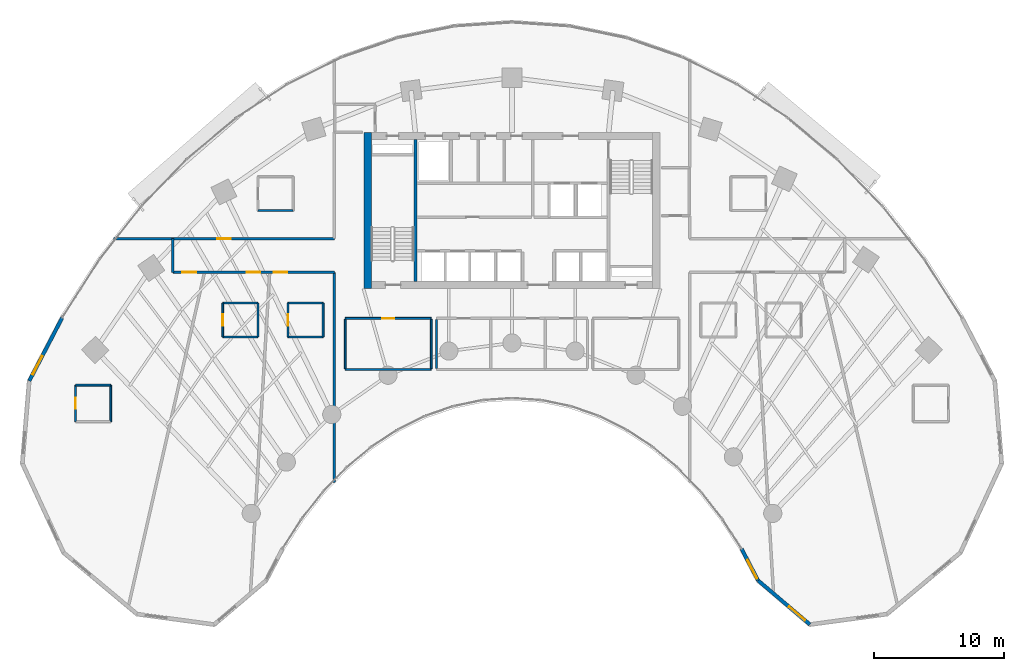
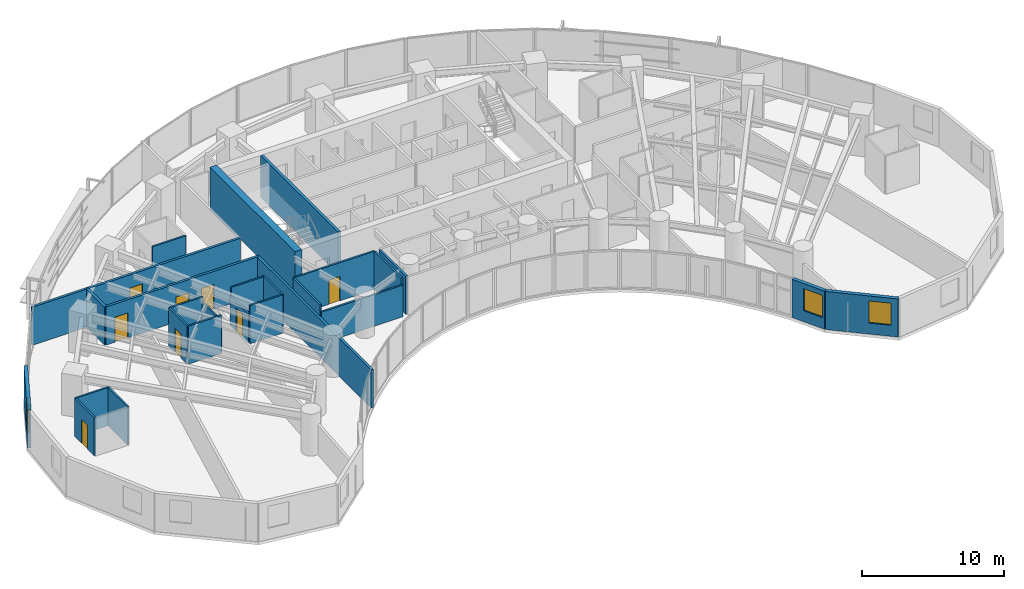
# One storey, part 11 of 17: 26 walls, 8 doors, 3 windows, 11 openings.
"""IFC4 building model written with IfcOpenShell, lengths in metres."""

from ifc_helpers import new_model, si_unit, direction, frame, frame_2d, origin, place, context, subcontext, project, spatial, rectangle, extrude, source, transform, mapped, material, layer, layer_set, type_object, type_shapes, element, fill, save


model = new_model("IFC4")

# Units and contexts
model_context = context("Model", 3, precision=1e-05, world=origin(), true_north=direction((0.0, 1.0)))
body_context = subcontext(model_context, "Body", "Model", "MODEL_VIEW")
ifc_project = project(units=[si_unit("LENGTHUNIT", "METRE"), si_unit("AREAUNIT", "SQUARE_METRE"), si_unit("VOLUMEUNIT", "CUBIC_METRE"), si_unit("PLANEANGLEUNIT", "RADIAN"), si_unit("MASSUNIT", "GRAM", prefix="KILO")], contexts=[model_context])

# Site, building, storey
site_placement = place(None, origin())
site = spatial("IfcSite", under=ifc_project, at=site_placement, CompositionType="ELEMENT")
building_placement = place(site_placement, origin())
building = spatial("IfcBuilding", under=site, at=building_placement, Name="Breltana Convention Tower", CompositionType="ELEMENT")
storey_placement = place(building_placement, frame((0.0, 0.0, 82.199951171875)))
storey = spatial("IfcBuildingStorey", under=building, at=storey_placement, Name="L19", CompositionType="ELEMENT", Elevation=82.199951171875)

# Walls
ifc_material_1 = material(Name="Concrete C60/75", Category="concrete")
ifc_layer_1 = layer(ifc_material_1, 0.550048828125, Name="Concrete C60/75")
ifc_layer_set_1 = layer_set([ifc_layer_1], Name="Concrete C60/75")
wall_type_1 = type_object("IfcWallType", Name="SW-CORE-550", PredefinedType="SHEAR", material=ifc_layer_set_1)
shared_shape_1 = source(origin(), body_context, "Body", "SweptSolid", [
    extrude(rectangle(XDim=12.0, YDim=0.550048828125, at=frame_2d((6.0, 0.0))), origin(), (0.0, 0.0, 1.0), 3.60009765625),
])
wall_1_placement = place(storey_placement, frame((36.925048828125, 60.199951171875, 0.0), z_axis=(0.0, 0.0, 1.0), x_axis=(0.0, 1.0, 0.0)))
element("IfcWall", 1, at=wall_1_placement, inside=storey, type_object=wall_type_1, Name="L19 West Core Shear Wall", PredefinedType="SHEAR", context=body_context, shape_type="MappedRepresentation", body=[
    mapped(shared_shape_1, transform((0.0, 0.0, 0.0), scale=1.0)),
])
ifc_material_2 = material(Name="Concrete C50/60", Category="concrete")
ifc_layer_2 = layer(ifc_material_2, 0.39990234375, Name="Concrete C50/60")
ifc_layer_set_2 = layer_set([ifc_layer_2], Name="Concrete C50/60")
wall_type_2 = type_object("IfcWallType", Name="SW-CORE-400", PredefinedType="SHEAR", material=ifc_layer_set_2)
shared_shape_2 = source(origin(), body_context, "Body", "SweptSolid", [
    extrude(rectangle(XDim=10.89990234375, YDim=0.219970703125, at=frame_2d((5.449951171875, 0.0))), origin(), (0.0, 0.0, 1.0), 3.60009765625),
])
wall_2_placement = place(storey_placement, frame((40.580078125, 60.75, 0.0), z_axis=(0.0, 0.0, 1.0), x_axis=(0.0, 1.0, 0.0)))
element("IfcWall", 2, at=wall_2_placement, inside=storey, type_object=wall_type_2, Name="L19 Core West Stair Spine Wall", PredefinedType="SHEAR", context=body_context, shape_type="MappedRepresentation", body=[
    mapped(shared_shape_2, transform((0.0, 0.0, 0.0), scale=1.0)),
])

# Wall, opening, window
ifc_material_3 = material(Name="Limestone Buff Insulated Wall", Category="masonry")
ifc_layer_3 = layer(ifc_material_3, 0.280029296875, Name="Limestone Buff Insulated Wall")
ifc_layer_set_3 = layer_set([ifc_layer_3], Name="Limestone Buff Insulated Wall")
wall_type_3 = type_object("IfcWallType", Name="WL-EXT-NOSE-280", PredefinedType="SOLIDWALL", material=ifc_layer_set_3)
shared_shape_3 = source(origin(), body_context, "Body", "SweptSolid", [
    extrude(rectangle(XDim=5.222412109375, YDim=0.280029296875, at=frame_2d((2.611328125, 0.0))), origin(), (0.0, 0.0, 1.0), 3.280029296875),
])
wall_3_placement = place(storey_placement, frame((70.8642578125, 34.4248046875, 0.0), z_axis=(0.0, 0.0, 1.0), x_axis=(-0.761900099546, 0.647694556339, 0.0)))
wall_3 = element("IfcWall", 3, at=wall_3_placement, inside=storey, type_object=wall_type_3, Name="L19 curved limestone nose wall E5", PredefinedType="SOLIDWALL", context=body_context, shape_type="MappedRepresentation", body=[
    mapped(shared_shape_3, transform((0.0, 0.0, 0.0), scale=1.0)),
])
opening_1_placement = place(wall_3_placement, frame((0.505615234375, 0.0, 0.949951171875)))
opening_1 = element("IfcOpeningElement", 4, at=opening_1_placement, cuts=wall_3, Name="Opening W-04", PredefinedType="OPENING", context=body_context, shape_type="SweptSolid", body=[
    extrude(rectangle(XDim=1.60009765625, YDim=1.89990234375, at=frame_2d((0.800048828125, 0.949951171875))), frame((0.0, 0.14990234375, 0.0), z_axis=(0.0, -1.0, 0.0), x_axis=(1.0, 0.0, 0.0)), (0.0, 0.0, 1.0), 0.300048828125),
])
ifc_material_4 = material(Name="Glass Low-E Insulated Window", Category="glass")
window_type = type_object("IfcWindowType", Name="WN-NOSE-1600X1900", PartitioningType="SINGLE_PANEL", PredefinedType="WINDOW", material=ifc_material_4)
shared_shape_4 = source(origin(), body_context, "Body", "SweptSolid", [
    extrude(rectangle(XDim=1.60009765625, YDim=1.89990234375, at=frame_2d((0.800048828125, 0.949951171875))), frame((0.0, 0.030029296875, 0.0), z_axis=(0.0, -1.0, 0.0), x_axis=(1.0, 0.0, 0.0)), (0.0, 0.0, 1.0), 0.06005859375),
])
type_shapes(window_type, [shared_shape_4])
window_1_placement = place(opening_1_placement, origin())
window_1 = element("IfcWindow", 5, at=window_1_placement, inside=storey, type_object=window_type, Name="L19 nose window E5", OverallHeight=1.89990234375, OverallWidth=1.60009765625, PartitioningType="SINGLE_PANEL", PredefinedType="WINDOW", context=body_context, shape_type="MappedRepresentation", body=[
    mapped(shared_shape_4, transform((0.0, 0.0, 0.0), scale=1.0)),
])
fill(opening_1, window_1)

shared_shape_5 = source(origin(), body_context, "Body", "SweptSolid", [
    extrude(rectangle(XDim=2.7353515625, YDim=0.280029296875, at=frame_2d((1.36767578125, 0.0))), origin(), (0.0, 0.0, 1.0), 3.280029296875),
])
wall_4_placement = place(storey_placement, frame((66.88525390625, 37.807373046875, 0.0), z_axis=(0.0, 0.0, 1.0), x_axis=(-0.46179107292, 0.886988728774, 0.0)))
wall_4 = element("IfcWall", 6, at=wall_4_placement, inside=storey, type_object=wall_type_3, Name="L19 curved limestone nose wall E6", PredefinedType="SOLIDWALL", context=body_context, shape_type="MappedRepresentation", body=[
    mapped(shared_shape_5, transform((0.0, 0.0, 0.0), scale=1.0)),
])
opening_2_placement = place(wall_4_placement, frame((0.159912109375, 0.0, 0.949951171875)))
opening_2 = element("IfcOpeningElement", 7, at=opening_2_placement, cuts=wall_4, Name="Opening W-04", PredefinedType="OPENING", context=body_context, shape_type="SweptSolid", body=[
    extrude(rectangle(XDim=1.60009765625, YDim=1.89990234375, at=frame_2d((0.800048828125, 0.949951171875))), frame((0.0, 0.14990234375, 0.0), z_axis=(0.0, -1.0, 0.0), x_axis=(1.0, 0.0, 0.0)), (0.0, 0.0, 1.0), 0.300048828125),
])
window_2_placement = place(opening_2_placement, origin())
window_2 = element("IfcWindow", 8, at=window_2_placement, inside=storey, type_object=window_type, Name="L19 nose window E6", OverallHeight=1.89990234375, OverallWidth=1.60009765625, PartitioningType="SINGLE_PANEL", PredefinedType="WINDOW", context=body_context, shape_type="MappedRepresentation", body=[
    mapped(shared_shape_4, transform((0.0, 0.0, 0.0), scale=1.0)),
])
fill(opening_2, window_2)

shared_shape_6 = source(origin(), body_context, "Body", "SweptSolid", [
    extrude(rectangle(XDim=5.45947265625, YDim=0.280029296875, at=frame_2d((2.729736328125, 0.0))), origin(), (0.0, 0.0, 1.0), 3.280029296875),
])
wall_5_placement = place(storey_placement, frame((10.947021484375, 53.1220703125, 0.0), z_axis=(0.0, 0.0, 1.0), x_axis=(0.461768054321, 0.887000712518, 0.0)))
wall_5 = element("IfcWall", 9, at=wall_5_placement, inside=storey, type_object=wall_type_3, Name="L19 curved limestone nose wall W7", PredefinedType="SOLIDWALL", context=body_context, shape_type="MappedRepresentation", body=[
    mapped(shared_shape_6, transform((0.0, 0.0, 0.0), scale=1.0)),
])
opening_3_placement = place(wall_5_placement, frame((0.56494140625, 0.0, 0.949951171875)))
opening_3 = element("IfcOpeningElement", 10, at=opening_3_placement, cuts=wall_5, Name="Opening W-04", PredefinedType="OPENING", context=body_context, shape_type="SweptSolid", body=[
    extrude(rectangle(XDim=1.60009765625, YDim=1.89990234375, at=frame_2d((0.800048828125, 0.949951171875))), frame((0.0, 0.14990234375, 0.0), z_axis=(0.0, -1.0, 0.0), x_axis=(1.0, 0.0, 0.0)), (0.0, 0.0, 1.0), 0.300048828125),
])
window_3_placement = place(opening_3_placement, origin())
window_3 = element("IfcWindow", 11, at=window_3_placement, inside=storey, type_object=window_type, Name="L19 nose window W7", OverallHeight=1.89990234375, OverallWidth=1.60009765625, PartitioningType="SINGLE_PANEL", PredefinedType="WINDOW", context=body_context, shape_type="MappedRepresentation", body=[
    mapped(shared_shape_4, transform((0.0, 0.0, 0.0), scale=1.0)),
])
fill(opening_3, window_3)

# Walls
ifc_material_5 = material(Name="Gypsum Acoustic Hotel Wall")
ifc_layer_4 = layer(ifc_material_5, 0.195068359375, Name="Gypsum Acoustic Hotel Wall")
ifc_layer_set_4 = layer_set([ifc_layer_4], Name="Gypsum Acoustic Hotel Wall")
wall_type_4 = type_object("IfcWallType", Name="WL-HOTEL-200", PredefinedType="PARTITIONING", material=ifc_layer_set_4)
shared_shape_7 = source(origin(), body_context, "Body", "SweptSolid", [
    extrude(rectangle(XDim=2.580078125, YDim=0.195068359375, at=frame_2d((1.2900390625, 0.0))), origin(), (0.0, 0.0, 1.0), 3.280029296875),
])
wall_6_placement = place(storey_placement, frame((21.9599609375, 61.4599609375, 0.0), z_axis=(0.0, 0.0, 1.0), x_axis=(0.0, 1.0, 0.0)))
element("IfcWall", 12, at=wall_6_placement, inside=storey, type_object=wall_type_4, Name="L19 interior partition W-L19-CORHW-END", PredefinedType="PARTITIONING", context=body_context, shape_type="MappedRepresentation", body=[
    mapped(shared_shape_7, transform((0.0, 0.0, 0.0), scale=1.0)),
])
ifc_material_6 = material(Name="Gypsum Acoustic Drywall Partition")
ifc_layer_5 = layer(ifc_material_6, 0.14990234375, Name="Gypsum Acoustic Drywall Partition")
ifc_layer_set_5 = layer_set([ifc_layer_5], Name="Gypsum Acoustic Drywall Partition")
wall_type_5 = type_object("IfcWallType", Name="WL-PART-150", PredefinedType="PARTITIONING", material=ifc_layer_set_5)
shared_shape_8 = source(origin(), body_context, "Body", "SweptSolid", [
    extrude(rectangle(XDim=6.60009765625, YDim=0.14990234375, at=frame_2d((3.300048828125, 0.0))), origin(), (0.0, 0.0, 1.0), 2.72314453125),
])
wall_7_placement = place(storey_placement, frame((35.199951171875, 54.0, 0.0), z_axis=(0.0, 0.0, 1.0), x_axis=(1.0, 0.0, 0.0)))
element("IfcWall", 13, at=wall_7_placement, inside=storey, type_object=wall_type_5, Name="L19 interior partition W-L19-HSK-S", PredefinedType="PARTITIONING", context=body_context, shape_type="MappedRepresentation", body=[
    mapped(shared_shape_8, transform((0.0, 0.0, 0.0), scale=1.0)),
])

# Wall, opening, door
shared_shape_9 = source(origin(), body_context, "Body", "SweptSolid", [
    extrude(rectangle(XDim=6.60009765625, YDim=0.14990234375, at=frame_2d((3.300048828125, 0.0))), origin(), (0.0, 0.0, 1.0), 3.280029296875),
])
wall_8_placement = place(storey_placement, frame((35.199951171875, 57.919921875, 0.0), z_axis=(0.0, 0.0, 1.0), x_axis=(1.0, 0.0, 0.0)))
wall_8 = element("IfcWall", 14, at=wall_8_placement, inside=storey, type_object=wall_type_5, Name="L19 interior partition W-L19-HSK-N", PredefinedType="PARTITIONING", context=body_context, shape_type="MappedRepresentation", body=[
    mapped(shared_shape_9, transform((0.0, 0.0, 0.0), scale=1.0)),
])
opening_4_placement = place(wall_8_placement, frame((2.85009765625, 0.0, 0.0)))
opening_4 = element("IfcOpeningElement", 15, at=opening_4_placement, cuts=wall_8, Name="Opening D-18", PredefinedType="OPENING", context=body_context, shape_type="SweptSolid", body=[
    extrude(rectangle(XDim=0.89990234375, YDim=2.10009765625, at=frame_2d((0.449951171875, 1.050048828125))), frame((0.0, 0.0849609375, 0.0), z_axis=(0.0, -1.0, 0.0), x_axis=(1.0, 0.0, 0.0)), (0.0, 0.0, 1.0), 0.169921875),
])
ifc_material_7 = material(Name="Steel Riser Fire Door", Category="steel")
door_type_1 = type_object("IfcDoorType", Name="DR-FD60-900", OperationType="NOTDEFINED", PredefinedType="DOOR", material=ifc_material_7)
shared_shape_10 = source(origin(), body_context, "Body", "SweptSolid", [
    extrude(rectangle(XDim=0.89990234375, YDim=2.10009765625, at=frame_2d((0.449951171875, 1.050048828125))), frame((0.0, 0.02490234375, 0.0), z_axis=(0.0, -1.0, 0.0), x_axis=(1.0, 0.0, 0.0)), (0.0, 0.0, 1.0), 0.050048828125),
])
type_shapes(door_type_1, [shared_shape_10])
door_1_placement = place(opening_4_placement, origin())
door_1 = element("IfcDoor", 16, at=door_1_placement, inside=storey, type_object=door_type_1, Name="L19 interior door D-L19-HSK", OperationType="SINGLE_SWING_LEFT", OverallHeight=2.10009765625, OverallWidth=0.89990234375, PredefinedType="DOOR", context=body_context, shape_type="MappedRepresentation", body=[
    mapped(shared_shape_10, transform((0.0, 0.0, 0.0), scale=1.0)),
])
fill(opening_4, door_1)

# Walls
shared_shape_11 = source(origin(), body_context, "Body", "SweptSolid", [
    extrude(rectangle(XDim=3.78515625, YDim=0.14990234375, at=frame_2d((1.892578125, 0.0))), origin(), (0.0, 0.0, 1.0), 3.280029296875),
])
for number, where, z_axis, x_axis, name in (
    (17, (35.199951171875, 54.0673828125, 0.0), (0.0, 0.0, 1.0), (0.0, 1.0, 0.0), "L19 interior partition W-L19-HSK-W"),
    (18, (41.800048828125, 54.0673828125, 0.0), (0.0, 0.0, 1.0), (0.0, 1.0, 0.0), "L19 interior partition W-L19-HSK-E"),
):
    element("IfcWall", number, at=place(storey_placement, frame(where, z_axis=z_axis, x_axis=x_axis)), inside=storey, type_object=wall_type_5, Name=name, PredefinedType="PARTITIONING", context=body_context, shape_type="MappedRepresentation", body=[
        mapped(shared_shape_11, transform((0.0, 0.0, 0.0), scale=1.0)),
    ])
ifc_material_8 = material(Name="Cement Board Wet-Area Partition")
ifc_layer_6 = layer(ifc_material_8, 0.175048828125, Name="Cement Board Wet-Area Partition")
ifc_layer_set_6 = layer_set([ifc_layer_6], Name="Cement Board Wet-Area Partition")
wall_type_6 = type_object("IfcWallType", Name="WL-WET-175", PredefinedType="PARTITIONING", material=ifc_layer_set_6)
shared_shape_12 = source(origin(), body_context, "Body", "SweptSolid", [
    extrude(rectangle(XDim=3.7626953125, YDim=0.175048828125, at=frame_2d((1.88134765625, 0.0))), origin(), (0.0, 0.0, 1.0), 3.280029296875),
])
wall_9_placement = place(storey_placement, frame((42.199951171875, 54.07861328125, 0.0), z_axis=(0.0, 0.0, 1.0), x_axis=(0.0, 1.0, 0.0)))
element("IfcWall", 19, at=wall_9_placement, inside=storey, type_object=wall_type_6, Name="L19 interior partition W-L19-WCM-W", PredefinedType="PARTITIONING", context=body_context, shape_type="MappedRepresentation", body=[
    mapped(shared_shape_12, transform((0.0, 0.0, 0.0), scale=1.0)),
])
shared_shape_13 = source(origin(), body_context, "Body", "SweptSolid", [
    extrude(rectangle(XDim=16.13427734375, YDim=0.195068359375, at=frame_2d((8.067138671875, 0.0))), origin(), (0.0, 0.0, 1.0), 3.280029296875),
])
wall_10_placement = place(storey_placement, frame((34.360107421875, 45.32568359375, 0.0), z_axis=(0.0, 0.0, 1.0), x_axis=(0.0, 1.0, 0.0)))
element("IfcWall", 20, at=wall_10_placement, inside=storey, type_object=wall_type_4, Name="L19 interior partition W-L19-SUM-W", PredefinedType="PARTITIONING", context=body_context, shape_type="MappedRepresentation", body=[
    mapped(shared_shape_13, transform((0.0, 0.0, 0.0), scale=1.0)),
])

# Wall, opening, door
shared_shape_14 = source(origin(), body_context, "Body", "SweptSolid", [
    extrude(rectangle(XDim=16.9296875, YDim=0.195068359375, at=frame_2d((8.46484375, 0.0))), origin(), (0.0, 0.0, 1.0), 3.280029296875),
])
wall_11_placement = place(storey_placement, frame((17.430419921875, 64.0400390625, 0.0), z_axis=(0.0, 0.0, 1.0), x_axis=(1.0, 0.0, 0.0)))
wall_11 = element("IfcWall", 21, at=wall_11_placement, inside=storey, type_object=wall_type_4, Name="L19 interior partition W-L19-CORHW-N", PredefinedType="PARTITIONING", context=body_context, shape_type="MappedRepresentation", body=[
    mapped(shared_shape_14, transform((0.0, 0.0, 0.0), scale=1.0)),
])
opening_5_placement = place(wall_11_placement, frame((7.939697265625, 0.0, 0.0)))
opening_5 = element("IfcOpeningElement", 22, at=opening_5_placement, cuts=wall_11, Name="Opening D-13", PredefinedType="OPENING", context=body_context, shape_type="SweptSolid", body=[
    extrude(rectangle(XDim=1.050048828125, YDim=2.14990234375, at=frame_2d((0.52490234375, 1.074951171875))), frame((0.0, 0.107421875, 0.0), z_axis=(0.0, -1.0, 0.0), x_axis=(1.0, 0.0, 0.0)), (0.0, 0.0, 1.0), 0.215087890625),
])
ifc_material_9 = material(Name="Timber Solid-Core Fire Door", Category="wood")
door_type_2 = type_object("IfcDoorType", Name="DR-FD60-1050", OperationType="NOTDEFINED", PredefinedType="DOOR", material=ifc_material_9)
shared_shape_15 = source(origin(), body_context, "Body", "SweptSolid", [
    extrude(rectangle(XDim=1.050048828125, YDim=2.14990234375, at=frame_2d((0.52490234375, 1.074951171875))), frame((0.0, 0.02490234375, 0.0), z_axis=(0.0, -1.0, 0.0), x_axis=(1.0, 0.0, 0.0)), (0.0, 0.0, 1.0), 0.050048828125),
])
type_shapes(door_type_2, [shared_shape_15])
door_2_placement = place(opening_5_placement, origin())
door_2 = element("IfcDoor", 23, at=door_2_placement, inside=storey, type_object=door_type_2, Name="L19 interior door D-L19-PHWN1", OperationType="SINGLE_SWING_RIGHT", OverallHeight=2.14990234375, OverallWidth=1.050048828125, PredefinedType="DOOR", context=body_context, shape_type="MappedRepresentation", body=[
    mapped(shared_shape_15, transform((0.0, 0.0, 0.0), scale=1.0)),
])
fill(opening_5, door_2)

# Wall, openings, doors
shared_shape_16 = source(origin(), body_context, "Body", "SweptSolid", [
    extrude(rectangle(XDim=12.400146484375, YDim=0.195068359375, at=frame_2d((6.2001953125, 0.0))), origin(), (0.0, 0.0, 1.0), 3.280029296875),
])
wall_12_placement = place(storey_placement, frame((21.9599609375, 61.4599609375, 0.0), z_axis=(0.0, 0.0, 1.0), x_axis=(1.0, 0.0, 0.0)))
wall_12 = element("IfcWall", 24, at=wall_12_placement, inside=storey, type_object=wall_type_4, Name="L19 interior partition W-L19-CORHW-S", PredefinedType="PARTITIONING", context=body_context, shape_type="MappedRepresentation", body=[
    mapped(shared_shape_16, transform((0.0, 0.0, 0.0), scale=1.0)),
])
opening_6_placement = place(wall_12_placement, frame((0.739990234375, 0.0, 0.0)))
opening_6 = element("IfcOpeningElement", 25, at=opening_6_placement, cuts=wall_12, Name="Opening D-13", PredefinedType="OPENING", context=body_context, shape_type="SweptSolid", body=[
    extrude(rectangle(XDim=1.050048828125, YDim=2.14990234375, at=frame_2d((0.52490234375, 1.074951171875))), frame((0.0, 0.107421875, 0.0), z_axis=(0.0, -1.0, 0.0), x_axis=(1.0, 0.0, 0.0)), (0.0, 0.0, 1.0), 0.215087890625),
])
opening_7_placement = place(wall_12_placement, frame((5.675048828125, 0.0, 0.0)))
opening_7 = element("IfcOpeningElement", 26, at=opening_7_placement, cuts=wall_12, Name="Opening D-13", PredefinedType="OPENING", context=body_context, shape_type="SweptSolid", body=[
    extrude(rectangle(XDim=1.050048828125, YDim=2.14990234375, at=frame_2d((0.52490234375, 1.074951171875))), frame((0.0, 0.107421875, 0.0), z_axis=(0.0, -1.0, 0.0), x_axis=(1.0, 0.0, 0.0)), (0.0, 0.0, 1.0), 0.215087890625),
])
opening_8_placement = place(wall_12_placement, frame((7.739990234375, 0.0, 0.0)))
opening_8 = element("IfcOpeningElement", 27, at=opening_8_placement, cuts=wall_12, Name="Opening D-13", PredefinedType="OPENING", context=body_context, shape_type="SweptSolid", body=[
    extrude(rectangle(XDim=1.050048828125, YDim=2.14990234375, at=frame_2d((0.52490234375, 1.074951171875))), frame((0.0, 0.107421875, 0.0), z_axis=(0.0, -1.0, 0.0), x_axis=(1.0, 0.0, 0.0)), (0.0, 0.0, 1.0), 0.215087890625),
])
door_3_placement = place(opening_6_placement, origin())
door_3 = element("IfcDoor", 28, at=door_3_placement, inside=storey, type_object=door_type_2, Name="L19 interior door D-L19-PHWS1", OperationType="SINGLE_SWING_RIGHT", OverallHeight=2.14990234375, OverallWidth=1.050048828125, PredefinedType="DOOR", context=body_context, shape_type="MappedRepresentation", body=[
    mapped(shared_shape_15, transform((0.0, 0.0, 0.0), scale=1.0)),
])
fill(opening_6, door_3)
door_4_placement = place(opening_7_placement, origin())
door_4 = element("IfcDoor", 29, at=door_4_placement, inside=storey, type_object=door_type_2, Name="L19 interior door D-L19-PHWS2", OperationType="SINGLE_SWING_RIGHT", OverallHeight=2.14990234375, OverallWidth=1.050048828125, PredefinedType="DOOR", context=body_context, shape_type="MappedRepresentation", body=[
    mapped(shared_shape_15, transform((0.0, 0.0, 0.0), scale=1.0)),
])
fill(opening_7, door_4)
door_5_placement = place(opening_8_placement, origin())
door_5 = element("IfcDoor", 30, at=door_5_placement, inside=storey, type_object=door_type_2, Name="L19 interior door D-L19-PHWS3", OperationType="SINGLE_SWING_RIGHT", OverallHeight=2.14990234375, OverallWidth=1.050048828125, PredefinedType="DOOR", context=body_context, shape_type="MappedRepresentation", body=[
    mapped(shared_shape_15, transform((0.0, 0.0, 0.0), scale=1.0)),
])
fill(opening_8, door_5)

# Walls
ifc_material_10 = material(Name="Moisture-Resistant En-Suite Partition")
ifc_layer_7 = layer(ifc_material_10, 0.139892578125, Name="Moisture-Resistant En-Suite Partition")
ifc_layer_set_7 = layer_set([ifc_layer_7], Name="Moisture-Resistant En-Suite Partition")
wall_type_7 = type_object("IfcWallType", Name="WL-WET-150", PredefinedType="PARTITIONING", material=ifc_layer_set_7)
shared_shape_17 = source(origin(), body_context, "Body", "SweptSolid", [
    extrude(rectangle(XDim=2.699951171875, YDim=0.139892578125, at=frame_2d((1.35009765625, 0.0))), origin(), (0.0, 0.0, 1.0), 3.280029296875),
])
for number, where, z_axis, x_axis, name in (
    (31, (28.5, 66.199951171875, 0.0), (0.0, 0.0, 1.0), (1.0, 0.0, 0.0), "L19 interior partition W-L19-PHWN1E-S"),
    (32, (14.5, 52.800048828125, 0.0), (0.0, 0.0, 1.0), (1.0, 0.0, 0.0), "L19 interior partition W-L19-PHWS1E-N"),
    (33, (25.800048828125, 59.10009765625, 0.0), (0.0, 0.0, 1.0), (1.0, 0.0, 0.0), "L19 interior partition W-L19-PHWS2E-N"),
    (34, (25.800048828125, 56.5, 0.0), (0.0, 0.0, 1.0), (1.0, 0.0, 0.0), "L19 interior partition W-L19-PHWS2E-S"),
    (35, (30.800048828125, 59.10009765625, 0.0), (0.0, 0.0, 1.0), (1.0, 0.0, 0.0), "L19 interior partition W-L19-PHWS3E-N"),
    (36, (30.800048828125, 56.5, 0.0), (0.0, 0.0, 1.0), (1.0, 0.0, 0.0), "L19 interior partition W-L19-PHWS3E-S"),
):
    element("IfcWall", number, at=place(storey_placement, frame(where, z_axis=z_axis, x_axis=x_axis)), inside=storey, type_object=wall_type_7, Name=name, PredefinedType="PARTITIONING", context=body_context, shape_type="MappedRepresentation", body=[
        mapped(shared_shape_17, transform((0.0, 0.0, 0.0), scale=1.0)),
    ])

# Wall, opening, door
shared_shape_18 = source(origin(), body_context, "Body", "SweptSolid", [
    extrude(rectangle(XDim=2.60009765625, YDim=0.139892578125, at=frame_2d((1.300048828125, 0.0))), origin(), (0.0, 0.0, 1.0), 3.280029296875),
])
wall_13_placement = place(storey_placement, frame((25.800048828125, 56.5, 0.0), z_axis=(0.0, 0.0, 1.0), x_axis=(0.0, 1.0, 0.0)))
wall_13 = element("IfcWall", 37, at=wall_13_placement, inside=storey, type_object=wall_type_7, Name="L19 interior partition W-L19-PHWS2E-W", PredefinedType="PARTITIONING", context=body_context, shape_type="MappedRepresentation", body=[
    mapped(shared_shape_18, transform((0.0, 0.0, 0.0), scale=1.0)),
])
opening_9_placement = place(wall_13_placement, frame((0.875, 0.0, 0.0)))
opening_9 = element("IfcOpeningElement", 38, at=opening_9_placement, cuts=wall_13, Name="Opening D-21", PredefinedType="OPENING", context=body_context, shape_type="SweptSolid", body=[
    extrude(rectangle(XDim=0.85009765625, YDim=2.050048828125, at=frame_2d((0.425048828125, 1.02490234375))), frame((0.0, 0.080078125, 0.0), z_axis=(0.0, -1.0, 0.0), x_axis=(1.0, 0.0, 0.0)), (0.0, 0.0, 1.0), 0.159912109375),
])
ifc_material_11 = material(Name="Timber Moisture-Resistant En-Suite Door", Category="wood")
door_type_3 = type_object("IfcDoorType", Name="DR-WET-850", OperationType="NOTDEFINED", PredefinedType="DOOR", material=ifc_material_11)
shared_shape_19 = source(origin(), body_context, "Body", "SweptSolid", [
    extrude(rectangle(XDim=0.85009765625, YDim=2.050048828125, at=frame_2d((0.425048828125, 1.02490234375))), frame((0.0, 0.02490234375, 0.0), z_axis=(0.0, -1.0, 0.0), x_axis=(1.0, 0.0, 0.0)), (0.0, 0.0, 1.0), 0.050048828125),
])
type_shapes(door_type_3, [shared_shape_19])
door_6_placement = place(opening_9_placement, origin())
door_6 = element("IfcDoor", 39, at=door_6_placement, inside=storey, type_object=door_type_3, Name="L19 interior door D-L19-PHWS2E", OperationType="SINGLE_SWING_LEFT", OverallHeight=2.050048828125, OverallWidth=0.85009765625, PredefinedType="DOOR", context=body_context, shape_type="MappedRepresentation", body=[
    mapped(shared_shape_19, transform((0.0, 0.0, 0.0), scale=1.0)),
])
fill(opening_9, door_6)

# Wall
wall_14_placement = place(storey_placement, frame((33.5, 56.5, 0.0), z_axis=(0.0, 0.0, 1.0), x_axis=(0.0, 1.0, 0.0)))
element("IfcWall", 40, at=wall_14_placement, inside=storey, type_object=wall_type_7, Name="L19 interior partition W-L19-PHWS3E-E", PredefinedType="PARTITIONING", context=body_context, shape_type="MappedRepresentation", body=[
    mapped(shared_shape_18, transform((0.0, 0.0, 0.0), scale=1.0)),
])

# Wall, opening, door
shared_shape_20 = source(origin(), body_context, "Body", "SweptSolid", [
    extrude(rectangle(XDim=2.800048828125, YDim=0.139892578125, at=frame_2d((1.39990234375, 0.0))), origin(), (0.0, 0.0, 1.0), 3.280029296875),
])
wall_15_placement = place(storey_placement, frame((14.5, 50.0, 0.0), z_axis=(0.0, 0.0, 1.0), x_axis=(0.0, 1.0, 0.0)))
wall_15 = element("IfcWall", 41, at=wall_15_placement, inside=storey, type_object=wall_type_7, Name="L19 interior partition W-L19-PHWS1E-W", PredefinedType="PARTITIONING", context=body_context, shape_type="MappedRepresentation", body=[
    mapped(shared_shape_20, transform((0.0, 0.0, 0.0), scale=1.0)),
])
opening_10_placement = place(wall_15_placement, frame((0.97509765625, 0.0, 0.0)))
opening_10 = element("IfcOpeningElement", 42, at=opening_10_placement, cuts=wall_15, Name="Opening D-21", PredefinedType="OPENING", context=body_context, shape_type="SweptSolid", body=[
    extrude(rectangle(XDim=0.85009765625, YDim=2.050048828125, at=frame_2d((0.425048828125, 1.02490234375))), frame((0.0, 0.080078125, 0.0), z_axis=(0.0, -1.0, 0.0), x_axis=(1.0, 0.0, 0.0)), (0.0, 0.0, 1.0), 0.159912109375),
])
door_7_placement = place(opening_10_placement, origin())
door_7 = element("IfcDoor", 43, at=door_7_placement, inside=storey, type_object=door_type_3, Name="L19 interior door D-L19-PHWS1E", OperationType="SINGLE_SWING_LEFT", OverallHeight=2.050048828125, OverallWidth=0.85009765625, PredefinedType="DOOR", context=body_context, shape_type="MappedRepresentation", body=[
    mapped(shared_shape_19, transform((0.0, 0.0, 0.0), scale=1.0)),
])
fill(opening_10, door_7)

# Walls
wall_16_placement = place(storey_placement, frame((17.199951171875, 50.0, 0.0), z_axis=(0.0, 0.0, 1.0), x_axis=(0.0, 1.0, 0.0)))
element("IfcWall", 44, at=wall_16_placement, inside=storey, type_object=wall_type_7, Name="L19 interior partition W-L19-PHWS1E-E", PredefinedType="PARTITIONING", context=body_context, shape_type="MappedRepresentation", body=[
    mapped(shared_shape_20, transform((0.0, 0.0, 0.0), scale=1.0)),
])
shared_shape_21 = source(origin(), body_context, "Body", "SweptSolid", [
    extrude(rectangle(XDim=2.60009765625, YDim=0.139892578125, at=frame_2d((1.300048828125, 0.0))), origin(), (0.0, 0.0, 1.0), 2.84716796875),
])
wall_17_placement = place(storey_placement, frame((28.5, 56.5, 0.0), z_axis=(0.0, 0.0, 1.0), x_axis=(0.0, 1.0, 0.0)))
element("IfcWall", 45, at=wall_17_placement, inside=storey, type_object=wall_type_7, Name="L19 interior partition W-L19-PHWS2E-E", PredefinedType="PARTITIONING", context=body_context, shape_type="MappedRepresentation", body=[
    mapped(shared_shape_21, transform((0.0, 0.0, 0.0), scale=1.0)),
])

# Wall, opening, door
shared_shape_22 = source(origin(), body_context, "Body", "SweptSolid", [
    extrude(rectangle(XDim=2.60009765625, YDim=0.139892578125, at=frame_2d((1.300048828125, 0.0))), origin(), (0.0, 0.0, 1.0), 2.56396484375),
])
wall_18_placement = place(storey_placement, frame((30.800048828125, 56.5, 0.0), z_axis=(0.0, 0.0, 1.0), x_axis=(0.0, 1.0, 0.0)))
wall_18 = element("IfcWall", 46, at=wall_18_placement, inside=storey, type_object=wall_type_7, Name="L19 interior partition W-L19-PHWS3E-W", PredefinedType="PARTITIONING", context=body_context, shape_type="MappedRepresentation", body=[
    mapped(shared_shape_22, transform((0.0, 0.0, 0.0), scale=1.0)),
])
opening_11_placement = place(wall_18_placement, frame((0.875, 0.0, 0.0)))
opening_11 = element("IfcOpeningElement", 47, at=opening_11_placement, cuts=wall_18, Name="Opening D-21", PredefinedType="OPENING", context=body_context, shape_type="SweptSolid", body=[
    extrude(rectangle(XDim=0.85009765625, YDim=2.050048828125, at=frame_2d((0.425048828125, 1.02490234375))), frame((0.0, 0.080078125, 0.0), z_axis=(0.0, -1.0, 0.0), x_axis=(1.0, 0.0, 0.0)), (0.0, 0.0, 1.0), 0.159912109375),
])
door_8_placement = place(opening_11_placement, origin())
door_8 = element("IfcDoor", 48, at=door_8_placement, inside=storey, type_object=door_type_3, Name="L19 interior door D-L19-PHWS3E", OperationType="SINGLE_SWING_LEFT", OverallHeight=2.050048828125, OverallWidth=0.85009765625, PredefinedType="DOOR", context=body_context, shape_type="MappedRepresentation", body=[
    mapped(shared_shape_19, transform((0.0, 0.0, 0.0), scale=1.0)),
])
fill(opening_11, door_8)

save(model, "model.ifc")
